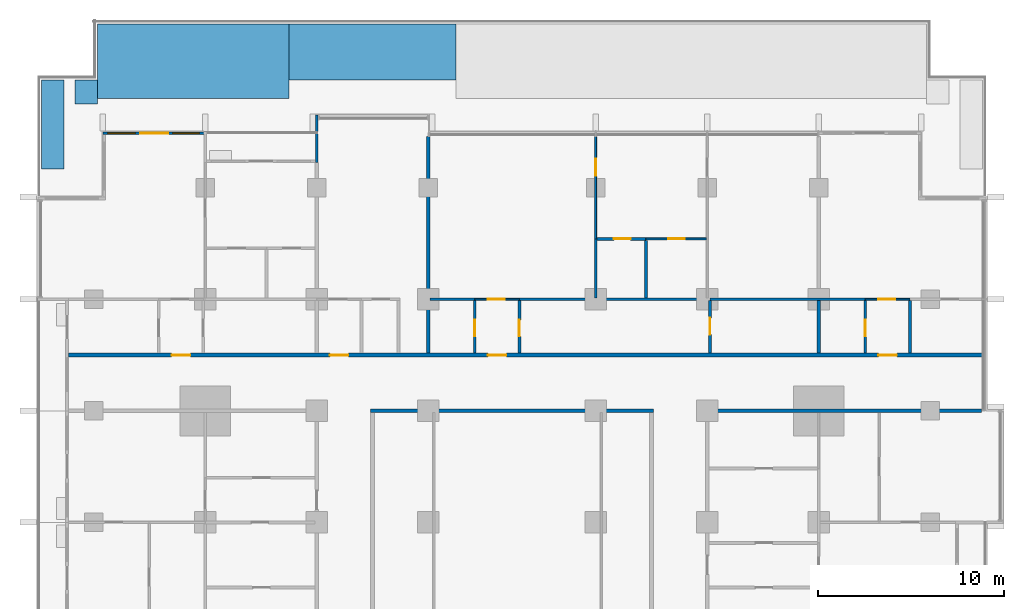
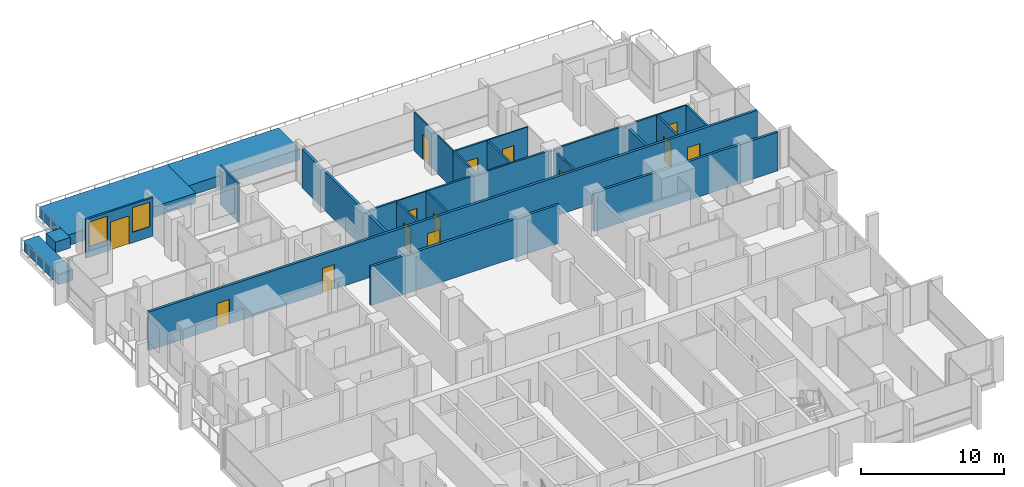
# One storey, part 12 of 19: 26 walls, 14 doors, 2 windows, 16 openings.
"""IFC4 building model written with IfcOpenShell, lengths in metres."""

from ifc_helpers import new_model, si_unit, direction, frame, frame_2d, origin, place, context, subcontext, project, spatial, rectangle, extrude, material, layer, layer_set, type_object, element, fill, save


model = new_model("IFC4")

# Units and contexts
model_context = context("Model", 3, precision=1e-05, world=origin(), true_north=direction((0.0, 1.0)))
body_context = subcontext(model_context, "Body", "Model", "MODEL_VIEW")
ifc_project = project(units=[si_unit("LENGTHUNIT", "METRE"), si_unit("AREAUNIT", "SQUARE_METRE"), si_unit("VOLUMEUNIT", "CUBIC_METRE"), si_unit("PLANEANGLEUNIT", "RADIAN"), si_unit("MASSUNIT", "GRAM", prefix="KILO")], contexts=[model_context])

# Site, building, storey
site_placement = place(None, origin())
site = spatial("IfcSite", under=ifc_project, at=site_placement, CompositionType="ELEMENT")
building_placement = place(site_placement, origin())
building = spatial("IfcBuilding", under=site, at=building_placement, Name="Finial Court Residences", CompositionType="ELEMENT")
storey_placement = place(building_placement, frame((0.0, 0.0, 81.10009765625)))
storey = spatial("IfcBuildingStorey", under=building, at=storey_placement, Name="L19", CompositionType="ELEMENT", Elevation=81.10009765625)

# Walls
ifc_material_1 = material(Name="Gypsum board")
ifc_layer_1 = layer(ifc_material_1, 0.02490234375)
ifc_material_2 = material(Name="Acoustic mineral wool in double frame")
ifc_layer_2 = layer(ifc_material_2, 0.14990234375)
ifc_layer_3 = layer(ifc_material_1, 0.02490234375)
ifc_layer_set_1 = layer_set([ifc_layer_1, ifc_layer_2, ifc_layer_3], Name="Acoustic party wall 200, 1 hour")
wall_type_1 = type_object("IfcWallType", Name="Acoustic party wall 200, 1 hour", PredefinedType="PARTITIONING", material=ifc_layer_set_1)
wall_1_placement = place(storey_placement, frame((-4.5, 10.60009765625, 0.0), z_axis=(0.0, 0.0, 1.0), x_axis=(0.0, 1.0, 0.0)))
element("IfcWall", 1, at=wall_1_placement, inside=storey, type_object=wall_type_1, Name="Partition L19-060", PredefinedType="PARTITIONING", context=body_context, shape_type="SweptSolid", body=[
    extrude(rectangle(XDim=11.64990234375, YDim=0.199951171875, at=frame_2d((5.824951171875, 0.0))), origin(), (0.0, 0.0, 1.0), 3.2998046875),
])
wall_2_placement = place(storey_placement, frame((16.5, 10.60009765625, 0.0), z_axis=(0.0, 0.0, 1.0), x_axis=(0.0, 1.0, 0.0)))
element("IfcWall", 2, at=wall_2_placement, inside=storey, type_object=wall_type_1, Name="Partition L19-077", PredefinedType="PARTITIONING", context=body_context, shape_type="SweptSolid", body=[
    extrude(rectangle(XDim=2.824951171875, YDim=0.199951171875, at=frame_2d((1.41259765625, 0.0))), origin(), (0.0, 0.0, 1.0), 3.2998046875),
])
ifc_layer_4 = layer(ifc_material_1, 0.02490234375)
ifc_layer_5 = layer(ifc_material_2, 0.14990234375)
ifc_layer_6 = layer(ifc_material_1, 0.02490234375)
ifc_layer_set_2 = layer_set([ifc_layer_4, ifc_layer_5, ifc_layer_6], Name="Corridor wall 200, 1 hour")
wall_type_2 = type_object("IfcWallType", Name="Corridor wall 200, 1 hour", PredefinedType="PARTITIONING", material=ifc_layer_set_2)
wall_3_placement = place(storey_placement, frame((-7.60009765625, 7.5, 0.0), z_axis=(0.0, 0.0, 1.0), x_axis=(1.0, 0.0, 0.0)))
element("IfcWall", 3, at=wall_3_placement, inside=storey, type_object=wall_type_2, Name="Partition L19-023", PredefinedType="PARTITIONING", context=body_context, shape_type="SweptSolid", body=[
    extrude(rectangle(XDim=15.2001953125, YDim=0.199951171875, at=frame_2d((7.60009765625, 0.0))), origin(), (0.0, 0.0, 1.0), 3.2998046875),
])
wall_4_placement = place(storey_placement, frame((10.39990234375, 7.5, 0.0), z_axis=(0.0, 0.0, 1.0), x_axis=(1.0, 0.0, 0.0)))
element("IfcWall", 4, at=wall_4_placement, inside=storey, type_object=wall_type_2, Name="Partition L19-024", PredefinedType="PARTITIONING", context=body_context, shape_type="SweptSolid", body=[
    extrude(rectangle(XDim=14.85009765625, YDim=0.199951171875, at=frame_2d((7.425048828125, 0.0))), origin(), (0.0, 0.0, 1.0), 3.2998046875),
])

# Wall, openings, doors
wall_5_placement = place(storey_placement, frame((-23.85009765625, 10.5, 0.0), z_axis=(0.0, 0.0, 1.0), x_axis=(1.0, 0.0, 0.0)))
wall_5 = element("IfcWall", 5, at=wall_5_placement, inside=storey, type_object=wall_type_2, Name="Partition L19-025", PredefinedType="PARTITIONING", context=body_context, shape_type="SweptSolid", body=[
    extrude(rectangle(XDim=49.2001953125, YDim=0.199951171875, at=frame_2d((24.60009765625, 0.0))), origin(), (0.0, 0.0, 1.0), 3.2998046875),
])
opening_1_placement = place(wall_5_placement, frame((5.550048828125, 0.0, 0.0)))
opening_1 = element("IfcOpeningElement", 6, at=opening_1_placement, cuts=wall_5, Name="Opening L19-D018", PredefinedType="OPENING", context=body_context, shape_type="SweptSolid", body=[
    extrude(rectangle(XDim=1.0, YDim=2.10009765625, at=frame_2d((0.5, 1.050048828125))), frame((0.0, 0.10986328125, 0.0), z_axis=(0.0, -1.0, 0.0), x_axis=(1.0, 0.0, 0.0)), (0.0, 0.0, 1.0), 0.219970703125),
])
opening_2_placement = place(wall_5_placement, frame((14.050048828125, 0.0, 0.0)))
opening_2 = element("IfcOpeningElement", 7, at=opening_2_placement, cuts=wall_5, Name="Opening L19-D019", PredefinedType="OPENING", context=body_context, shape_type="SweptSolid", body=[
    extrude(rectangle(XDim=1.0, YDim=2.10009765625, at=frame_2d((0.5, 1.050048828125))), frame((0.0, 0.10986328125, 0.0), z_axis=(0.0, -1.0, 0.0), x_axis=(1.0, 0.0, 0.0)), (0.0, 0.0, 1.0), 0.219970703125),
])
opening_3_placement = place(wall_5_placement, frame((22.550048828125, 0.0, 0.0)))
opening_3 = element("IfcOpeningElement", 8, at=opening_3_placement, cuts=wall_5, Name="Opening L19-D020", PredefinedType="OPENING", context=body_context, shape_type="SweptSolid", body=[
    extrude(rectangle(XDim=1.0, YDim=2.10009765625, at=frame_2d((0.5, 1.050048828125))), frame((0.0, 0.10986328125, 0.0), z_axis=(0.0, -1.0, 0.0), x_axis=(1.0, 0.0, 0.0)), (0.0, 0.0, 1.0), 0.219970703125),
])
opening_4_placement = place(wall_5_placement, frame((43.550048828125, 0.0, 0.0)))
opening_4 = element("IfcOpeningElement", 9, at=opening_4_placement, cuts=wall_5, Name="Opening L19-D021", PredefinedType="OPENING", context=body_context, shape_type="SweptSolid", body=[
    extrude(rectangle(XDim=1.0, YDim=2.10009765625, at=frame_2d((0.5, 1.050048828125))), frame((0.0, 0.10986328125, 0.0), z_axis=(0.0, -1.0, 0.0), x_axis=(1.0, 0.0, 0.0)), (0.0, 0.0, 1.0), 0.219970703125),
])
ifc_material_3 = material(Name="Timber door leaf in hollow metal frame", Category="wood")
door_type_1 = type_object("IfcDoorType", Name="Fire door set 1000 x 2100, 30 minutes", OperationType="SINGLE_SWING_LEFT", PredefinedType="DOOR", material=ifc_material_3)
door_1_placement = place(opening_1_placement, origin())
door_1 = element("IfcDoor", 10, at=door_1_placement, inside=storey, type_object=door_type_1, Name="Door L19-D018", OperationType="SINGLE_SWING_RIGHT", OverallHeight=2.10009765625, OverallWidth=1.0, PredefinedType="DOOR", context=body_context, shape_type="SweptSolid", body=[
    extrude(rectangle(XDim=1.0, YDim=2.10009765625, at=frame_2d((0.5, 1.050048828125))), frame((0.0, 0.02490234375, 0.0), z_axis=(0.0, -1.0, 0.0), x_axis=(1.0, 0.0, 0.0)), (0.0, 0.0, 1.0), 0.050048828125),
])
fill(opening_1, door_1)
door_2_placement = place(opening_2_placement, origin())
door_2 = element("IfcDoor", 11, at=door_2_placement, inside=storey, type_object=door_type_1, Name="Door L19-D019", OperationType="SINGLE_SWING_RIGHT", OverallHeight=2.10009765625, OverallWidth=1.0, PredefinedType="DOOR", context=body_context, shape_type="SweptSolid", body=[
    extrude(rectangle(XDim=1.0, YDim=2.10009765625, at=frame_2d((0.5, 1.050048828125))), frame((0.0, 0.02490234375, 0.0), z_axis=(0.0, -1.0, 0.0), x_axis=(1.0, 0.0, 0.0)), (0.0, 0.0, 1.0), 0.050048828125),
])
fill(opening_2, door_2)
door_3_placement = place(opening_3_placement, origin())
door_3 = element("IfcDoor", 12, at=door_3_placement, inside=storey, type_object=door_type_1, Name="Door L19-D020", OperationType="SINGLE_SWING_RIGHT", OverallHeight=2.10009765625, OverallWidth=1.0, PredefinedType="DOOR", context=body_context, shape_type="SweptSolid", body=[
    extrude(rectangle(XDim=1.0, YDim=2.10009765625, at=frame_2d((0.5, 1.050048828125))), frame((0.0, 0.02490234375, 0.0), z_axis=(0.0, -1.0, 0.0), x_axis=(1.0, 0.0, 0.0)), (0.0, 0.0, 1.0), 0.050048828125),
])
fill(opening_3, door_3)
door_4_placement = place(opening_4_placement, origin())
door_4 = element("IfcDoor", 13, at=door_4_placement, inside=storey, type_object=door_type_1, Name="Door L19-D021", OperationType="SINGLE_SWING_LEFT", OverallHeight=2.10009765625, OverallWidth=1.0, PredefinedType="DOOR", context=body_context, shape_type="SweptSolid", body=[
    extrude(rectangle(XDim=1.0, YDim=2.10009765625, at=frame_2d((0.5, 1.050048828125))), frame((0.0, 0.02490234375, 0.0), z_axis=(0.0, -1.0, 0.0), x_axis=(1.0, 0.0, 0.0)), (0.0, 0.0, 1.0), 0.050048828125),
])
fill(opening_4, door_4)

# Wall, opening, door
ifc_layer_7 = layer(ifc_material_1, 0.012451171875)
ifc_material_4 = material(Name="Mineral wool in light-gauge frame")
ifc_layer_8 = layer(ifc_material_4, 0.074951171875)
ifc_layer_9 = layer(ifc_material_1, 0.012451171875)
ifc_layer_set_3 = layer_set([ifc_layer_7, ifc_layer_8, ifc_layer_9], Name="Gypsum board partition 100")
wall_type_3 = type_object("IfcWallType", Name="Gypsum board partition 100", PredefinedType="PARTITIONING", material=ifc_layer_set_3)
wall_6_placement = place(storey_placement, frame((-2.0, 13.5, 0.0), z_axis=(0.0, 0.0, 1.0), x_axis=(1.0, 0.0, 0.0)))
wall_6 = element("IfcWall", 14, at=wall_6_placement, inside=storey, type_object=wall_type_3, Name="Partition L19-028", PredefinedType="PARTITIONING", context=body_context, shape_type="SweptSolid", body=[
    extrude(rectangle(XDim=2.39990234375, YDim=0.10009765625, at=frame_2d((1.199951171875, 0.0))), origin(), (0.0, 0.0, 1.0), 3.2998046875),
])
opening_5_placement = place(wall_6_placement, frame((0.699951171875, 0.0, 0.0)))
opening_5 = element("IfcOpeningElement", 15, at=opening_5_placement, cuts=wall_6, Name="Opening L19-D024", PredefinedType="OPENING", context=body_context, shape_type="SweptSolid", body=[
    extrude(rectangle(XDim=0.89990234375, YDim=2.10009765625, at=frame_2d((0.449951171875, 1.050048828125))), frame((0.0, 0.06005859375, 0.0), z_axis=(0.0, -1.0, 0.0), x_axis=(1.0, 0.0, 0.0)), (0.0, 0.0, 1.0), 0.1201171875),
])
ifc_material_5 = material(Name="Timber door leaf in timber frame", Category="wood")
door_type_2 = type_object("IfcDoorType", Name="Door set 900 x 2100", OperationType="SINGLE_SWING_LEFT", PredefinedType="DOOR", material=ifc_material_5)
door_5_placement = place(opening_5_placement, origin())
door_5 = element("IfcDoor", 16, at=door_5_placement, inside=storey, type_object=door_type_2, Name="Door L19-D024", OperationType="SINGLE_SWING_RIGHT", OverallHeight=2.10009765625, OverallWidth=0.89990234375, PredefinedType="DOOR", context=body_context, shape_type="SweptSolid", body=[
    extrude(rectangle(XDim=0.89990234375, YDim=2.10009765625, at=frame_2d((0.449951171875, 1.050048828125))), frame((0.0, 0.02490234375, 0.0), z_axis=(0.0, -1.0, 0.0), x_axis=(1.0, 0.0, 0.0)), (0.0, 0.0, 1.0), 0.050048828125),
])
fill(opening_5, door_5)

wall_7_placement = place(storey_placement, frame((19.0, 13.5, 0.0), z_axis=(0.0, 0.0, 1.0), x_axis=(1.0, 0.0, 0.0)))
wall_7 = element("IfcWall", 17, at=wall_7_placement, inside=storey, type_object=wall_type_3, Name="Partition L19-029", PredefinedType="PARTITIONING", context=body_context, shape_type="SweptSolid", body=[
    extrude(rectangle(XDim=2.39990234375, YDim=0.10009765625, at=frame_2d((1.199951171875, 0.0))), origin(), (0.0, 0.0, 1.0), 3.2998046875),
])
opening_6_placement = place(wall_7_placement, frame((0.699951171875, 0.0, 0.0)))
opening_6 = element("IfcOpeningElement", 18, at=opening_6_placement, cuts=wall_7, Name="Opening L19-D025", PredefinedType="OPENING", context=body_context, shape_type="SweptSolid", body=[
    extrude(rectangle(XDim=0.89990234375, YDim=2.10009765625, at=frame_2d((0.449951171875, 1.050048828125))), frame((0.0, 0.06005859375, 0.0), z_axis=(0.0, -1.0, 0.0), x_axis=(1.0, 0.0, 0.0)), (0.0, 0.0, 1.0), 0.1201171875),
])
door_6_placement = place(opening_6_placement, origin())
door_6 = element("IfcDoor", 19, at=door_6_placement, inside=storey, type_object=door_type_2, Name="Door L19-D025", OperationType="SINGLE_SWING_LEFT", OverallHeight=2.10009765625, OverallWidth=0.89990234375, PredefinedType="DOOR", context=body_context, shape_type="SweptSolid", body=[
    extrude(rectangle(XDim=0.89990234375, YDim=2.10009765625, at=frame_2d((0.449951171875, 1.050048828125))), frame((0.0, 0.02490234375, 0.0), z_axis=(0.0, -1.0, 0.0), x_axis=(1.0, 0.0, 0.0)), (0.0, 0.0, 1.0), 0.050048828125),
])
fill(opening_6, door_6)

wall_8_placement = place(storey_placement, frame((7.199951171875, 16.75, 0.0), z_axis=(0.0, 0.0, 1.0), x_axis=(1.0, 0.0, 0.0)))
wall_8 = element("IfcWall", 20, at=wall_8_placement, inside=storey, type_object=wall_type_3, Name="Partition L19-039", PredefinedType="PARTITIONING", context=body_context, shape_type="SweptSolid", body=[
    extrude(rectangle(XDim=3.25, YDim=0.10009765625, at=frame_2d((1.625, 0.0))), origin(), (0.0, 0.0, 1.0), 3.2998046875),
])
opening_7_placement = place(wall_8_placement, frame((1.199951171875, 0.0, 0.0)))
opening_7 = element("IfcOpeningElement", 21, at=opening_7_placement, cuts=wall_8, Name="Opening L19-D030", PredefinedType="OPENING", context=body_context, shape_type="SweptSolid", body=[
    extrude(rectangle(XDim=0.89990234375, YDim=2.10009765625, at=frame_2d((0.449951171875, 1.050048828125))), frame((0.0, 0.06005859375, 0.0), z_axis=(0.0, -1.0, 0.0), x_axis=(1.0, 0.0, 0.0)), (0.0, 0.0, 1.0), 0.1201171875),
])
door_7_placement = place(opening_7_placement, origin())
door_7 = element("IfcDoor", 22, at=door_7_placement, inside=storey, type_object=door_type_2, Name="Door L19-D030", OperationType="SINGLE_SWING_RIGHT", OverallHeight=2.10009765625, OverallWidth=0.89990234375, PredefinedType="DOOR", context=body_context, shape_type="SweptSolid", body=[
    extrude(rectangle(XDim=0.89990234375, YDim=2.10009765625, at=frame_2d((0.449951171875, 1.050048828125))), frame((0.0, 0.02490234375, 0.0), z_axis=(0.0, -1.0, 0.0), x_axis=(1.0, 0.0, 0.0)), (0.0, 0.0, 1.0), 0.050048828125),
])
fill(opening_7, door_7)

wall_9_placement = place(storey_placement, frame((4.5, 16.75, 0.0), z_axis=(0.0, 0.0, 1.0), x_axis=(0.0, 1.0, 0.0)))
wall_9 = element("IfcWall", 23, at=wall_9_placement, inside=storey, type_object=wall_type_3, Name="Partition L19-064", PredefinedType="PARTITIONING", context=body_context, shape_type="SweptSolid", body=[
    extrude(rectangle(XDim=5.5, YDim=0.10009765625, at=frame_2d((2.75, 0.0))), origin(), (0.0, 0.0, 1.0), 3.2998046875),
])
opening_8_placement = place(wall_9_placement, frame((3.39990234375, 0.0, 0.0)))
opening_8 = element("IfcOpeningElement", 24, at=opening_8_placement, cuts=wall_9, Name="Opening L19-D043", PredefinedType="OPENING", context=body_context, shape_type="SweptSolid", body=[
    extrude(rectangle(XDim=0.89990234375, YDim=2.10009765625, at=frame_2d((0.449951171875, 1.050048828125))), frame((0.0, 0.06005859375, 0.0), z_axis=(0.0, -1.0, 0.0), x_axis=(1.0, 0.0, 0.0)), (0.0, 0.0, 1.0), 0.1201171875),
])
door_8_placement = place(opening_8_placement, origin())
door_8 = element("IfcDoor", 25, at=door_8_placement, inside=storey, type_object=door_type_2, Name="Door L19-D043", OperationType="SINGLE_SWING_RIGHT", OverallHeight=2.10009765625, OverallWidth=0.89990234375, PredefinedType="DOOR", context=body_context, shape_type="SweptSolid", body=[
    extrude(rectangle(XDim=0.89990234375, YDim=2.10009765625, at=frame_2d((0.449951171875, 1.050048828125))), frame((0.0, 0.02490234375, 0.0), z_axis=(0.0, -1.0, 0.0), x_axis=(1.0, 0.0, 0.0)), (0.0, 0.0, 1.0), 0.050048828125),
])
fill(opening_8, door_8)

# Walls
ifc_material_6 = material(Name="Moisture-resistant gypsum board")
ifc_layer_10 = layer(ifc_material_6, 0.012451171875)
ifc_layer_11 = layer(ifc_material_4, 0.125)
ifc_layer_12 = layer(ifc_material_6, 0.012451171875)
ifc_layer_set_4 = layer_set([ifc_layer_10, ifc_layer_11, ifc_layer_12], Name="Gypsum board wet-area partition 150")
wall_type_4 = type_object("IfcWallType", Name="Gypsum board wet-area partition 150", PredefinedType="PARTITIONING", material=ifc_layer_set_4)
wall_10_placement = place(storey_placement, frame((-4.39990234375, 13.5, 0.0), z_axis=(0.0, 0.0, 1.0), x_axis=(1.0, 0.0, 0.0)))
element("IfcWall", 26, at=wall_10_placement, inside=storey, type_object=wall_type_4, Name="Partition L19-033", PredefinedType="PARTITIONING", context=body_context, shape_type="SweptSolid", body=[
    extrude(rectangle(XDim=2.39990234375, YDim=0.14990234375, at=frame_2d((1.199951171875, 0.0))), origin(), (0.0, 0.0, 1.0), 3.2998046875),
])
wall_11_placement = place(storey_placement, frame((0.39990234375, 13.5, 0.0), z_axis=(0.0, 0.0, 1.0), x_axis=(1.0, 0.0, 0.0)))
element("IfcWall", 27, at=wall_11_placement, inside=storey, type_object=wall_type_4, Name="Partition L19-034", PredefinedType="PARTITIONING", context=body_context, shape_type="SweptSolid", body=[
    extrude(rectangle(XDim=10.10009765625, YDim=0.14990234375, at=frame_2d((5.050048828125, 0.0))), origin(), (0.0, 0.0, 1.0), 3.2998046875),
])
wall_12_placement = place(storey_placement, frame((10.64990234375, 13.5, 0.0), z_axis=(0.0, 0.0, 1.0), x_axis=(1.0, 0.0, 0.0)))
element("IfcWall", 28, at=wall_12_placement, inside=storey, type_object=wall_type_4, Name="Partition L19-035", PredefinedType="PARTITIONING", context=body_context, shape_type="SweptSolid", body=[
    extrude(rectangle(XDim=8.35009765625, YDim=0.14990234375, at=frame_2d((4.175048828125, 0.0))), origin(), (0.0, 0.0, 1.0), 3.2998046875),
])

# Wall, opening, door
wall_13_placement = place(storey_placement, frame((4.574951171875, 16.75, 0.0), z_axis=(0.0, 0.0, 1.0), x_axis=(1.0, 0.0, 0.0)))
wall_13 = element("IfcWall", 29, at=wall_13_placement, inside=storey, type_object=wall_type_4, Name="Partition L19-040", PredefinedType="PARTITIONING", context=body_context, shape_type="SweptSolid", body=[
    extrude(rectangle(XDim=2.625, YDim=0.14990234375, at=frame_2d((1.3125, 0.0))), origin(), (0.0, 0.0, 1.0), 3.2998046875),
])
opening_9_placement = place(wall_13_placement, frame((0.89990234375, 0.0, 0.0)))
opening_9 = element("IfcOpeningElement", 30, at=opening_9_placement, cuts=wall_13, Name="Opening L19-D031", PredefinedType="OPENING", context=body_context, shape_type="SweptSolid", body=[
    extrude(rectangle(XDim=0.89990234375, YDim=2.10009765625, at=frame_2d((0.449951171875, 1.050048828125))), frame((0.0, 0.0849609375, 0.0), z_axis=(0.0, -1.0, 0.0), x_axis=(1.0, 0.0, 0.0)), (0.0, 0.0, 1.0), 0.169921875),
])
door_9_placement = place(opening_9_placement, origin())
door_9 = element("IfcDoor", 31, at=door_9_placement, inside=storey, type_object=door_type_2, Name="Door L19-D031", OperationType="SINGLE_SWING_LEFT", OverallHeight=2.10009765625, OverallWidth=0.89990234375, PredefinedType="DOOR", context=body_context, shape_type="SweptSolid", body=[
    extrude(rectangle(XDim=0.89990234375, YDim=2.10009765625, at=frame_2d((0.449951171875, 1.050048828125))), frame((0.0, 0.02490234375, 0.0), z_axis=(0.0, -1.0, 0.0), x_axis=(1.0, 0.0, 0.0)), (0.0, 0.0, 1.0), 0.050048828125),
])
fill(opening_9, door_9)

wall_14_placement = place(storey_placement, frame((-2.0, 10.60009765625, 0.0), z_axis=(0.0, 0.0, 1.0), x_axis=(0.0, 1.0, 0.0)))
wall_14 = element("IfcWall", 32, at=wall_14_placement, inside=storey, type_object=wall_type_4, Name="Partition L19-062", PredefinedType="PARTITIONING", context=body_context, shape_type="SweptSolid", body=[
    extrude(rectangle(XDim=2.824951171875, YDim=0.14990234375, at=frame_2d((1.41259765625, 0.0))), origin(), (0.0, 0.0, 1.0), 3.2998046875),
])
opening_10_placement = place(wall_14_placement, frame((0.89990234375, 0.0, 0.0)))
opening_10 = element("IfcOpeningElement", 33, at=opening_10_placement, cuts=wall_14, Name="Opening L19-D041", PredefinedType="OPENING", context=body_context, shape_type="SweptSolid", body=[
    extrude(rectangle(XDim=0.89990234375, YDim=2.10009765625, at=frame_2d((0.449951171875, 1.050048828125))), frame((0.0, 0.0849609375, 0.0), z_axis=(0.0, -1.0, 0.0), x_axis=(1.0, 0.0, 0.0)), (0.0, 0.0, 1.0), 0.169921875),
])
door_10_placement = place(opening_10_placement, origin())
door_10 = element("IfcDoor", 34, at=door_10_placement, inside=storey, type_object=door_type_2, Name="Door L19-D041", OperationType="SINGLE_SWING_LEFT", OverallHeight=2.10009765625, OverallWidth=0.89990234375, PredefinedType="DOOR", context=body_context, shape_type="SweptSolid", body=[
    extrude(rectangle(XDim=0.89990234375, YDim=2.10009765625, at=frame_2d((0.449951171875, 1.050048828125))), frame((0.0, 0.02490234375, 0.0), z_axis=(0.0, -1.0, 0.0), x_axis=(1.0, 0.0, 0.0)), (0.0, 0.0, 1.0), 0.050048828125),
])
fill(opening_10, door_10)

wall_15_placement = place(storey_placement, frame((0.39990234375, 10.60009765625, 0.0), z_axis=(0.0, 0.0, 1.0), x_axis=(0.0, 1.0, 0.0)))
wall_15 = element("IfcWall", 35, at=wall_15_placement, inside=storey, type_object=wall_type_4, Name="Partition L19-063", PredefinedType="PARTITIONING", context=body_context, shape_type="SweptSolid", body=[
    extrude(rectangle(XDim=2.824951171875, YDim=0.14990234375, at=frame_2d((1.41259765625, 0.0))), origin(), (0.0, 0.0, 1.0), 3.2998046875),
])
opening_11_placement = place(wall_15_placement, frame((0.89990234375, 0.0, 0.0)))
opening_11 = element("IfcOpeningElement", 36, at=opening_11_placement, cuts=wall_15, Name="Opening L19-D042", PredefinedType="OPENING", context=body_context, shape_type="SweptSolid", body=[
    extrude(rectangle(XDim=0.89990234375, YDim=2.10009765625, at=frame_2d((0.449951171875, 1.050048828125))), frame((0.0, 0.0849609375, 0.0), z_axis=(0.0, -1.0, 0.0), x_axis=(1.0, 0.0, 0.0)), (0.0, 0.0, 1.0), 0.169921875),
])
door_11_placement = place(opening_11_placement, origin())
door_11 = element("IfcDoor", 37, at=door_11_placement, inside=storey, type_object=door_type_2, Name="Door L19-D042", OperationType="SINGLE_SWING_LEFT", OverallHeight=2.10009765625, OverallWidth=0.89990234375, PredefinedType="DOOR", context=body_context, shape_type="SweptSolid", body=[
    extrude(rectangle(XDim=0.89990234375, YDim=2.10009765625, at=frame_2d((0.449951171875, 1.050048828125))), frame((0.0, 0.02490234375, 0.0), z_axis=(0.0, -1.0, 0.0), x_axis=(1.0, 0.0, 0.0)), (0.0, 0.0, 1.0), 0.050048828125),
])
fill(opening_11, door_11)

# Walls
wall_16_placement = place(storey_placement, frame((4.5, 13.574951171875, 0.0), z_axis=(0.0, 0.0, 1.0), x_axis=(0.0, 1.0, 0.0)))
element("IfcWall", 38, at=wall_16_placement, inside=storey, type_object=wall_type_4, Name="Partition L19-065", PredefinedType="PARTITIONING", context=body_context, shape_type="SweptSolid", body=[
    extrude(rectangle(XDim=3.175048828125, YDim=0.14990234375, at=frame_2d((1.58740234375, 0.0))), origin(), (0.0, 0.0, 1.0), 3.2998046875),
])
wall_17_placement = place(storey_placement, frame((7.199951171875, 13.574951171875, 0.0), z_axis=(0.0, 0.0, 1.0), x_axis=(0.0, 1.0, 0.0)))
element("IfcWall", 39, at=wall_17_placement, inside=storey, type_object=wall_type_4, Name="Partition L19-067", PredefinedType="PARTITIONING", context=body_context, shape_type="SweptSolid", body=[
    extrude(rectangle(XDim=3.10009765625, YDim=0.14990234375, at=frame_2d((1.550048828125, 0.0))), origin(), (0.0, 0.0, 1.0), 3.2998046875),
])

# Wall, opening, door
wall_18_placement = place(storey_placement, frame((10.64990234375, 10.60009765625, 0.0), z_axis=(0.0, 0.0, 1.0), x_axis=(0.0, 1.0, 0.0)))
wall_18 = element("IfcWall", 40, at=wall_18_placement, inside=storey, type_object=wall_type_4, Name="Partition L19-071", PredefinedType="PARTITIONING", context=body_context, shape_type="SweptSolid", body=[
    extrude(rectangle(XDim=2.824951171875, YDim=0.14990234375, at=frame_2d((1.41259765625, 0.0))), origin(), (0.0, 0.0, 1.0), 3.2998046875),
])
opening_12_placement = place(wall_18_placement, frame((1.0, 0.0, 0.0)))
opening_12 = element("IfcOpeningElement", 41, at=opening_12_placement, cuts=wall_18, Name="Opening L19-D046", PredefinedType="OPENING", context=body_context, shape_type="SweptSolid", body=[
    extrude(rectangle(XDim=0.89990234375, YDim=2.10009765625, at=frame_2d((0.449951171875, 1.050048828125))), frame((0.0, 0.0849609375, 0.0), z_axis=(0.0, -1.0, 0.0), x_axis=(1.0, 0.0, 0.0)), (0.0, 0.0, 1.0), 0.169921875),
])
door_12_placement = place(opening_12_placement, origin())
door_12 = element("IfcDoor", 42, at=door_12_placement, inside=storey, type_object=door_type_2, Name="Door L19-D046", OperationType="SINGLE_SWING_LEFT", OverallHeight=2.10009765625, OverallWidth=0.89990234375, PredefinedType="DOOR", context=body_context, shape_type="SweptSolid", body=[
    extrude(rectangle(XDim=0.89990234375, YDim=2.10009765625, at=frame_2d((0.449951171875, 1.050048828125))), frame((0.0, 0.02490234375, 0.0), z_axis=(0.0, -1.0, 0.0), x_axis=(1.0, 0.0, 0.0)), (0.0, 0.0, 1.0), 0.050048828125),
])
fill(opening_12, door_12)

wall_19_placement = place(storey_placement, frame((19.0, 10.60009765625, 0.0), z_axis=(0.0, 0.0, 1.0), x_axis=(0.0, 1.0, 0.0)))
wall_19 = element("IfcWall", 43, at=wall_19_placement, inside=storey, type_object=wall_type_4, Name="Partition L19-081", PredefinedType="PARTITIONING", context=body_context, shape_type="SweptSolid", body=[
    extrude(rectangle(XDim=2.824951171875, YDim=0.14990234375, at=frame_2d((1.41259765625, 0.0))), origin(), (0.0, 0.0, 1.0), 3.2998046875),
])
opening_13_placement = place(wall_19_placement, frame((0.89990234375, 0.0, 0.0)))
opening_13 = element("IfcOpeningElement", 44, at=opening_13_placement, cuts=wall_19, Name="Opening L19-D049", PredefinedType="OPENING", context=body_context, shape_type="SweptSolid", body=[
    extrude(rectangle(XDim=0.89990234375, YDim=2.10009765625, at=frame_2d((0.449951171875, 1.050048828125))), frame((0.0, 0.0849609375, 0.0), z_axis=(0.0, -1.0, 0.0), x_axis=(1.0, 0.0, 0.0)), (0.0, 0.0, 1.0), 0.169921875),
])
door_13_placement = place(opening_13_placement, origin())
door_13 = element("IfcDoor", 45, at=door_13_placement, inside=storey, type_object=door_type_2, Name="Door L19-D049", OperationType="SINGLE_SWING_RIGHT", OverallHeight=2.10009765625, OverallWidth=0.89990234375, PredefinedType="DOOR", context=body_context, shape_type="SweptSolid", body=[
    extrude(rectangle(XDim=0.89990234375, YDim=2.10009765625, at=frame_2d((0.449951171875, 1.050048828125))), frame((0.0, 0.02490234375, 0.0), z_axis=(0.0, -1.0, 0.0), x_axis=(1.0, 0.0, 0.0)), (0.0, 0.0, 1.0), 0.050048828125),
])
fill(opening_13, door_13)

# Walls
wall_20_placement = place(storey_placement, frame((21.39990234375, 10.60009765625, 0.0), z_axis=(0.0, 0.0, 1.0), x_axis=(0.0, 1.0, 0.0)))
element("IfcWall", 46, at=wall_20_placement, inside=storey, type_object=wall_type_4, Name="Partition L19-086", PredefinedType="PARTITIONING", context=body_context, shape_type="SweptSolid", body=[
    extrude(rectangle(XDim=2.824951171875, YDim=0.14990234375, at=frame_2d((1.41259765625, 0.0))), origin(), (0.0, 0.0, 1.0), 3.2998046875),
])
ifc_material_7 = material(Name="Natural limestone", Category="masonry")
ifc_layer_13 = layer(ifc_material_7, 0.14990234375)
ifc_layer_set_5 = layer_set([ifc_layer_13], Name="Limestone clad wall 150")
wall_type_5 = type_object("IfcWallType", Name="Limestone clad wall 150", PredefinedType="SOLIDWALL", material=ifc_layer_set_5)
wall_21_placement = place(storey_placement, frame((-10.5, 20.85009765625, 0.0), z_axis=(0.0, 0.0, 1.0), x_axis=(0.0, 1.0, 0.0)))
element("IfcWall", 47, at=wall_21_placement, inside=storey, type_object=wall_type_5, Name="E-L19-BALN2-P2", PredefinedType="SOLIDWALL", context=body_context, shape_type="SweptSolid", body=[
    extrude(rectangle(XDim=2.5498046875, YDim=0.14990234375, at=frame_2d((1.27490234375, 0.0))), origin(), (0.0, 0.0, 1.0), 3.2998046875),
])

# Wall, openings, door, windows
wall_22_placement = place(storey_placement, frame((-22.0, 22.425048828125, 0.0), z_axis=(0.0, 0.0, 1.0), x_axis=(1.0, 0.0, 0.0)))
wall_22 = element("IfcWall", 48, at=wall_22_placement, inside=storey, type_object=wall_type_5, Name="E-L19-L19-TD1-W", PredefinedType="SOLIDWALL", context=body_context, shape_type="SweptSolid", body=[
    extrude(rectangle(XDim=5.425048828125, YDim=0.14990234375, at=frame_2d((2.71240234375, 0.0))), origin(), (0.0, 0.0, 1.0), 3.2998046875),
])
opening_14_placement = place(wall_22_placement, frame((2.0, 0.0, 0.0)))
opening_14 = element("IfcOpeningElement", 49, at=opening_14_placement, cuts=wall_22, Name="Opening DE19-07", PredefinedType="OPENING", context=body_context, shape_type="SweptSolid", body=[
    extrude(rectangle(XDim=1.5, YDim=2.39990234375, at=frame_2d((0.75, 1.199951171875))), frame((0.0, 0.0849609375, 0.0), z_axis=(0.0, -1.0, 0.0), x_axis=(1.0, 0.0, 0.0)), (0.0, 0.0, 1.0), 0.169921875),
])
opening_15_placement = place(wall_22_placement, frame((0.25, 0.0, 0.89990234375)))
opening_15 = element("IfcOpeningElement", 50, at=opening_15_placement, cuts=wall_22, Name="Opening WE19-20", PredefinedType="OPENING", context=body_context, shape_type="SweptSolid", body=[
    extrude(rectangle(XDim=1.5, YDim=2.10009765625, at=frame_2d((0.75, 1.050048828125))), frame((0.0, 0.0849609375, 0.0), z_axis=(0.0, -1.0, 0.0), x_axis=(1.0, 0.0, 0.0)), (0.0, 0.0, 1.0), 0.169921875),
])
opening_16_placement = place(wall_22_placement, frame((3.75, 0.0, 0.89990234375)))
opening_16 = element("IfcOpeningElement", 51, at=opening_16_placement, cuts=wall_22, Name="Opening WE19-21", PredefinedType="OPENING", context=body_context, shape_type="SweptSolid", body=[
    extrude(rectangle(XDim=1.425048828125, YDim=2.10009765625, at=frame_2d((0.71240234375, 1.050048828125))), frame((0.0, 0.0849609375, 0.0), z_axis=(0.0, -1.0, 0.0), x_axis=(1.0, 0.0, 0.0)), (0.0, 0.0, 1.0), 0.169921875),
])
ifc_material_8 = material(Name="Bronze anodised aluminium", Category="aluminium")
door_type_3 = type_object("IfcDoorType", Name="Terrace door 1500 x 2400", OperationType="DOUBLE_DOOR_SINGLE_SWING", PredefinedType="DOOR", material=ifc_material_8)
door_14_placement = place(opening_14_placement, origin())
door_14 = element("IfcDoor", 52, at=door_14_placement, inside=storey, type_object=door_type_3, Name="E-L19-L19-TD1-W-D", OperationType="DOUBLE_DOOR_SINGLE_SWING", OverallHeight=2.39990234375, OverallWidth=1.5, PredefinedType="DOOR", context=body_context, shape_type="SweptSolid", body=[
    extrude(rectangle(XDim=1.5, YDim=2.39990234375, at=frame_2d((0.75, 1.199951171875))), frame((0.0, 0.02490234375, 0.0), z_axis=(0.0, -1.0, 0.0), x_axis=(1.0, 0.0, 0.0)), (0.0, 0.0, 1.0), 0.050048828125),
])
fill(opening_14, door_14)
ifc_material_9 = material(Name="Clear low-e glass", Category="glass")
window_type_1 = type_object("IfcWindowType", Name="Terrace window 1425 x 2100", PartitioningType="SINGLE_PANEL", PredefinedType="WINDOW", material=ifc_material_9)
window_1_placement = place(opening_16_placement, origin())
window_1 = element("IfcWindow", 53, at=window_1_placement, inside=storey, type_object=window_type_1, Name="E-L19-L19-TD1-W-W2", OverallHeight=2.10009765625, OverallWidth=1.425048828125, PartitioningType="SINGLE_PANEL", PredefinedType="WINDOW", context=body_context, shape_type="SweptSolid", body=[
    extrude(rectangle(XDim=1.425048828125, YDim=2.10009765625, at=frame_2d((0.71240234375, 1.050048828125))), frame((0.0, 0.030029296875, 0.0), z_axis=(0.0, -1.0, 0.0), x_axis=(1.0, 0.0, 0.0)), (0.0, 0.0, 1.0), 0.06005859375),
])
fill(opening_16, window_1)
window_type_2 = type_object("IfcWindowType", Name="Terrace window 1500 x 2100", PartitioningType="SINGLE_PANEL", PredefinedType="WINDOW", material=ifc_material_9)
window_2_placement = place(opening_15_placement, origin())
window_2 = element("IfcWindow", 54, at=window_2_placement, inside=storey, type_object=window_type_2, Name="E-L19-L19-TD1-W-W1", OverallHeight=2.10009765625, OverallWidth=1.5, PartitioningType="SINGLE_PANEL", PredefinedType="WINDOW", context=body_context, shape_type="SweptSolid", body=[
    extrude(rectangle(XDim=1.5, YDim=2.10009765625, at=frame_2d((0.75, 1.050048828125))), frame((0.0, 0.030029296875, 0.0), z_axis=(0.0, -1.0, 0.0), x_axis=(1.0, 0.0, 0.0)), (0.0, 0.0, 1.0), 0.06005859375),
])
fill(opening_15, window_2)

# Walls
ifc_material_10 = material(Name="Concrete C40/50", Category="concrete")
ifc_layer_14 = layer(ifc_material_10, 0.199951171875)
ifc_material_11 = material(Name="Planting soil", Category="soil")
ifc_layer_15 = layer(ifc_material_11, 0.800048828125)
ifc_layer_16 = layer(ifc_material_10, 0.199951171875)
ifc_layer_set_6 = layer_set([ifc_layer_14, ifc_layer_15, ifc_layer_16], Name="Planter wall, terrace 1200")
wall_type_6 = type_object("IfcWallType", Name="Planter wall, terrace 1200", PredefinedType="USERDEFINED", material=ifc_layer_set_6)
wall_23_placement = place(storey_placement, frame((-24.699951171875, 20.5, 0.0), z_axis=(0.0, 0.0, 1.0), x_axis=(0.0, 1.0, 0.0)))
element("IfcWall", 55, at=wall_23_placement, inside=storey, type_object=wall_type_6, Name="E-L19-TER1-PL1", ObjectType="PLANTER", PredefinedType="USERDEFINED", context=body_context, shape_type="SweptSolid", body=[
    extrude(rectangle(XDim=4.800048828125, YDim=1.199951171875, at=frame_2d((2.39990234375, 0.0))), origin(), (0.0, 0.0, 1.0), 0.89990234375),
])
wall_24_placement = place(storey_placement, frame((-22.89990234375, 24.0, 0.0), z_axis=(0.0, 0.0, 1.0), x_axis=(0.0, 1.0, 0.0)))
element("IfcWall", 56, at=wall_24_placement, inside=storey, type_object=wall_type_6, Name="E-L19-TER1-PL3", ObjectType="PLANTER", PredefinedType="USERDEFINED", context=body_context, shape_type="SweptSolid", body=[
    extrude(rectangle(XDim=1.300048828125, YDim=1.199951171875, at=frame_2d((0.64990234375, 0.0))), origin(), (0.0, 0.0, 1.0), 0.89990234375),
])
ifc_layer_17 = layer(ifc_material_10, 0.199951171875)
ifc_layer_18 = layer(ifc_material_11, 2.60009765625)
ifc_layer_19 = layer(ifc_material_10, 0.199951171875)
ifc_layer_set_7 = layer_set([ifc_layer_17, ifc_layer_18, ifc_layer_19], Name="Planter wall, terrace 3000")
wall_type_7 = type_object("IfcWallType", Name="Planter wall, terrace 3000", PredefinedType="USERDEFINED", material=ifc_layer_set_7)
wall_25_placement = place(storey_placement, frame((-12.0, 26.800048828125, 0.0), z_axis=(0.0, 0.0, 1.0), x_axis=(1.0, 0.0, 0.0)))
element("IfcWall", 57, at=wall_25_placement, inside=storey, type_object=wall_type_7, Name="E-L19-TER1-PL7", ObjectType="PLANTER", PredefinedType="USERDEFINED", context=body_context, shape_type="SweptSolid", body=[
    extrude(rectangle(XDim=9.0, YDim=3.0, at=frame_2d((4.5, 0.0))), origin(), (0.0, 0.0, 1.0), 0.89990234375),
])
ifc_layer_20 = layer(ifc_material_10, 0.199951171875)
ifc_layer_21 = layer(ifc_material_11, 3.60009765625)
ifc_layer_22 = layer(ifc_material_10, 0.199951171875)
ifc_layer_set_8 = layer_set([ifc_layer_20, ifc_layer_21, ifc_layer_22], Name="Planter wall, terrace 4000")
wall_type_8 = type_object("IfcWallType", Name="Planter wall, terrace 4000", PredefinedType="USERDEFINED", material=ifc_layer_set_8)
wall_26_placement = place(storey_placement, frame((-22.300048828125, 26.300048828125, 0.0), z_axis=(0.0, 0.0, 1.0), x_axis=(1.0, 0.0, 0.0)))
element("IfcWall", 58, at=wall_26_placement, inside=storey, type_object=wall_type_8, Name="E-L19-TER1-PL5", ObjectType="PLANTER", PredefinedType="USERDEFINED", context=body_context, shape_type="SweptSolid", body=[
    extrude(rectangle(XDim=10.300048828125, YDim=4.0, at=frame_2d((5.14990234375, 0.0))), origin(), (0.0, 0.0, 1.0), 0.89990234375),
])

save(model, "model.ifc")
